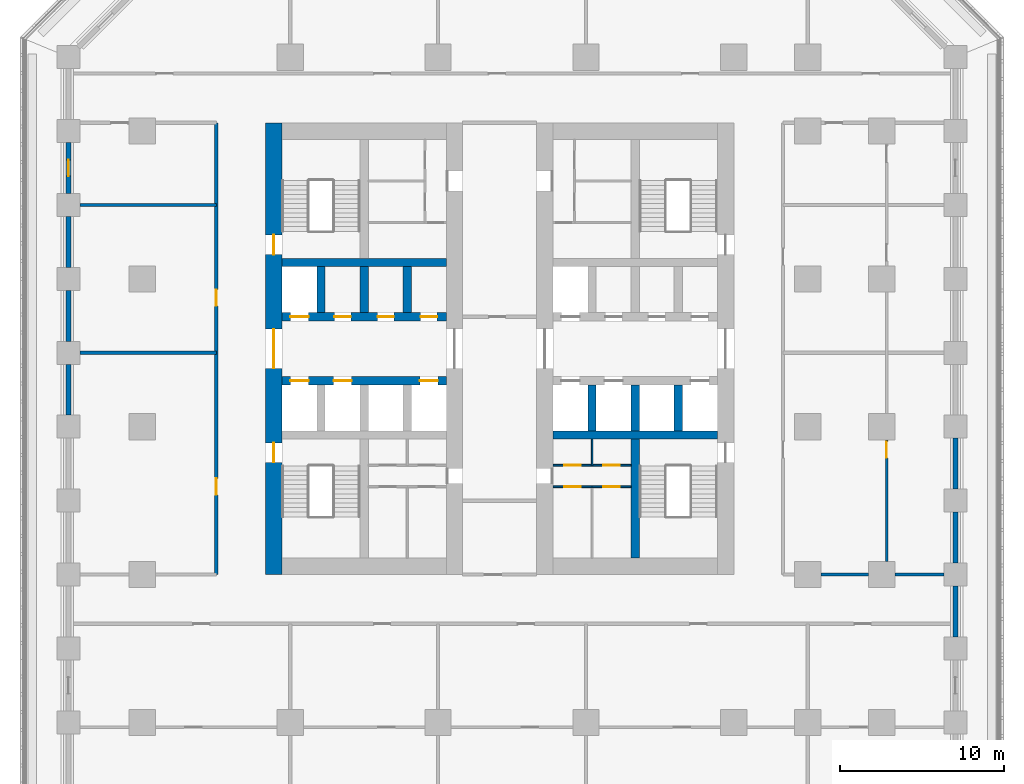
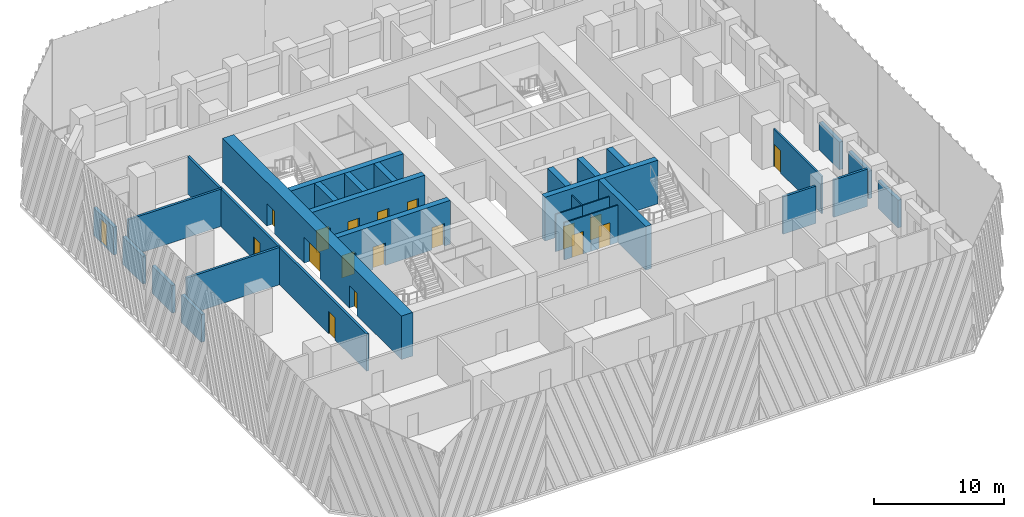
# One storey, part 4 of 13: 30 walls, 18 doors, 18 openings.
"""IFC4 building model written with IfcOpenShell, lengths in metres."""

from ifc_helpers import new_model, si_unit, direction, frame, frame_2d, origin, place, context, subcontext, project, spatial, rectangle, extrude, material, layer, layer_set, type_object, element, fill, save


model = new_model("IFC4")

# Units and contexts
model_context = context("Model", 3, precision=1e-05, world=origin(), true_north=direction((0.0, 1.0)))
body_context = subcontext(model_context, "Body", "Model", "MODEL_VIEW")
ifc_project = project(units=[si_unit("LENGTHUNIT", "METRE"), si_unit("AREAUNIT", "SQUARE_METRE"), si_unit("VOLUMEUNIT", "CUBIC_METRE"), si_unit("PLANEANGLEUNIT", "RADIAN"), si_unit("MASSUNIT", "GRAM", prefix="KILO")], contexts=[model_context])

# Site, building, storey
site_placement = place(None, origin())
site = spatial("IfcSite", under=ifc_project, at=site_placement, CompositionType="ELEMENT")
building_placement = place(site_placement, origin())
building = spatial("IfcBuilding", under=site, at=building_placement, Name="Corbel Stack Research Tower", CompositionType="ELEMENT")
storey_placement = place(building_placement, frame((0.0, 0.0, 66.5)))
storey = spatial("IfcBuildingStorey", under=building, at=storey_placement, Name="L15", CompositionType="ELEMENT", Elevation=66.5)

# Wall, openings, doors
ifc_material_1 = material(Name="Concrete C70/85", Category="concrete")
ifc_layer_1 = layer(ifc_material_1, 1.0)
ifc_layer_set_1 = layer_set([ifc_layer_1], Name="Concrete C70/85")
wall_type_1 = type_object("IfcWallType", Name="CW-1000-70", PredefinedType="SHEAR", material=ifc_layer_set_1)
wall_1_placement = place(storey_placement, frame((-10.0, -9.0, 0.0), z_axis=(0.0, 0.0, 1.0), x_axis=(0.0, 1.0, 0.0)))
wall_1 = element("IfcWall", 1, at=wall_1_placement, inside=storey, type_object=wall_type_1, Name="West core wall, west face L15", PredefinedType="SHEAR", context=body_context, shape_type="SweptSolid", body=[
    extrude(rectangle(XDim=27.5, YDim=1.0, at=frame_2d((13.75, 0.0))), origin(), (0.0, 0.0, 1.0), 4.10009765625),
])
opening_1_placement = place(wall_1_placement, frame((12.550048828125, 0.0, 0.0)))
opening_1 = element("IfcOpeningElement", 2, at=opening_1_placement, cuts=wall_1, Name="Opening CD-W-W", PredefinedType="OPENING", context=body_context, shape_type="SweptSolid", body=[
    extrude(rectangle(XDim=2.39990234375, YDim=2.39990234375, at=frame_2d((1.199951171875, 1.199951171875))), frame((0.0, 0.510009765625, 0.0), z_axis=(0.0, -1.0, 0.0), x_axis=(1.0, 0.0, 0.0)), (0.0, 0.0, 1.0), 1.02001953125),
])
opening_2_placement = place(wall_1_placement, frame((6.824951171875, 0.0, 0.0)))
opening_2 = element("IfcOpeningElement", 3, at=opening_2_placement, cuts=wall_1, Name="Opening SD-ST-W1", PredefinedType="OPENING", context=body_context, shape_type="SweptSolid", body=[
    extrude(rectangle(XDim=1.199951171875, YDim=2.10009765625, at=frame_2d((0.60009765625, 1.050048828125))), frame((0.0, 0.510009765625, 0.0), z_axis=(0.0, -1.0, 0.0), x_axis=(1.0, 0.0, 0.0)), (0.0, 0.0, 1.0), 1.02001953125),
])
opening_3_placement = place(wall_1_placement, frame((19.47509765625, 0.0, 0.0)))
opening_3 = element("IfcOpeningElement", 4, at=opening_3_placement, cuts=wall_1, Name="Opening SD-ST-W2", PredefinedType="OPENING", context=body_context, shape_type="SweptSolid", body=[
    extrude(rectangle(XDim=1.199951171875, YDim=2.10009765625, at=frame_2d((0.60009765625, 1.050048828125))), frame((0.0, 0.510009765625, 0.0), z_axis=(0.0, -1.0, 0.0), x_axis=(1.0, 0.0, 0.0)), (0.0, 0.0, 1.0), 1.02001953125),
])
ifc_material_2 = material(Name="Painted steel fire door", Category="steel")
door_type_1 = type_object("IfcDoorType", Name="Lobby door pair 2400 x 2400 FD30S", OperationType="DOUBLE_DOOR_DOUBLE_SWING", PredefinedType="DOOR", material=ifc_material_2)
door_1_placement = place(opening_1_placement, origin())
door_1 = element("IfcDoor", 5, at=door_1_placement, inside=storey, type_object=door_type_1, Name="Lift lobby door W core W", OperationType="DOUBLE_DOOR_DOUBLE_SWING", OverallHeight=2.39990234375, OverallWidth=2.39990234375, PredefinedType="DOOR", context=body_context, shape_type="SweptSolid", body=[
    extrude(rectangle(XDim=2.39990234375, YDim=2.39990234375, at=frame_2d((1.199951171875, 1.199951171875))), frame((0.0, 0.02490234375, 0.0), z_axis=(0.0, -1.0, 0.0), x_axis=(1.0, 0.0, 0.0)), (0.0, 0.0, 1.0), 0.050048828125),
])
fill(opening_1, door_1)
ifc_material_3 = material(Name="Painted steel fire door", Category="steel")
door_type_2 = type_object("IfcDoorType", Name="Stair door 1200 x 2100 FD90 left hand", OperationType="SINGLE_SWING_LEFT", PredefinedType="DOOR", material=ifc_material_3)
door_2_placement = place(opening_2_placement, origin())
door_2 = element("IfcDoor", 6, at=door_2_placement, inside=storey, type_object=door_type_2, Name="Stair door ST-W1", OperationType="SINGLE_SWING_LEFT", OverallHeight=2.10009765625, OverallWidth=1.199951171875, PredefinedType="DOOR", context=body_context, shape_type="SweptSolid", body=[
    extrude(rectangle(XDim=1.199951171875, YDim=2.10009765625, at=frame_2d((0.60009765625, 1.050048828125))), frame((0.0, 0.02490234375, 0.0), z_axis=(0.0, -1.0, 0.0), x_axis=(1.0, 0.0, 0.0)), (0.0, 0.0, 1.0), 0.050048828125),
])
fill(opening_2, door_2)
door_3_placement = place(opening_3_placement, origin())
door_3 = element("IfcDoor", 7, at=door_3_placement, inside=storey, type_object=door_type_2, Name="Stair door ST-W2", OperationType="SINGLE_SWING_LEFT", OverallHeight=2.10009765625, OverallWidth=1.199951171875, PredefinedType="DOOR", context=body_context, shape_type="SweptSolid", body=[
    extrude(rectangle(XDim=1.199951171875, YDim=2.10009765625, at=frame_2d((0.60009765625, 1.050048828125))), frame((0.0, 0.02490234375, 0.0), z_axis=(0.0, -1.0, 0.0), x_axis=(1.0, 0.0, 0.0)), (0.0, 0.0, 1.0), 0.050048828125),
])
fill(opening_3, door_3)

ifc_material_4 = material(Name="Concrete C70/85", Category="concrete")
ifc_layer_2 = layer(ifc_material_4, 0.5)
ifc_layer_set_2 = layer_set([ifc_layer_2], Name="Concrete C70/85")
wall_type_2 = type_object("IfcWallType", Name="CW-500-70", PredefinedType="SHEAR", material=ifc_layer_set_2)
wall_2_placement = place(storey_placement, frame((-9.5, 2.800048828125, 0.0), z_axis=(0.0, 0.0, 1.0), x_axis=(1.0, 0.0, 0.0)))
wall_2 = element("IfcWall", 8, at=wall_2_placement, inside=storey, type_object=wall_type_2, Name="West core wall, lobby south L15", PredefinedType="SHEAR", context=body_context, shape_type="SweptSolid", body=[
    extrude(rectangle(XDim=10.0, YDim=0.5, at=frame_2d((5.0, 0.0))), origin(), (0.0, 0.0, 1.0), 4.10009765625),
])
opening_4_placement = place(wall_2_placement, frame((0.512451171875, 0.0, 0.0)))
opening_4 = element("IfcOpeningElement", 9, at=opening_4_placement, cuts=wall_2, Name="Opening LD-FS1", PredefinedType="OPENING", context=body_context, shape_type="SweptSolid", body=[
    extrude(rectangle(XDim=1.10009765625, YDim=2.10009765625, at=frame_2d((0.550048828125, 1.050048828125))), frame((0.0, 0.260009765625, 0.0), z_axis=(0.0, -1.0, 0.0), x_axis=(1.0, 0.0, 0.0)), (0.0, 0.0, 1.0), 0.52001953125),
])
opening_5_placement = place(wall_2_placement, frame((3.137451171875, 0.0, 0.0)))
opening_5 = element("IfcOpeningElement", 10, at=opening_5_placement, cuts=wall_2, Name="Opening LD-GL1", PredefinedType="OPENING", context=body_context, shape_type="SweptSolid", body=[
    extrude(rectangle(XDim=1.10009765625, YDim=2.10009765625, at=frame_2d((0.550048828125, 1.050048828125))), frame((0.0, 0.260009765625, 0.0), z_axis=(0.0, -1.0, 0.0), x_axis=(1.0, 0.0, 0.0)), (0.0, 0.0, 1.0), 0.52001953125),
])
opening_6_placement = place(wall_2_placement, frame((8.387451171875, 0.0, 0.0)))
opening_6 = element("IfcOpeningElement", 11, at=opening_6_placement, cuts=wall_2, Name="Opening LD-LR1", PredefinedType="OPENING", context=body_context, shape_type="SweptSolid", body=[
    extrude(rectangle(XDim=1.10009765625, YDim=2.10009765625, at=frame_2d((0.550048828125, 1.050048828125))), frame((0.0, 0.260009765625, 0.0), z_axis=(0.0, -1.0, 0.0), x_axis=(1.0, 0.0, 0.0)), (0.0, 0.0, 1.0), 0.52001953125),
])
ifc_material_5 = material(Name="Stainless steel landing door", Category="steel")
door_type_3 = type_object("IfcDoorType", Name="Lift landing door 1100 x 2100", OperationType="DOUBLE_DOOR_SLIDING", PredefinedType="DOOR", material=ifc_material_5)
door_4_placement = place(opening_4_placement, origin())
door_4 = element("IfcDoor", 12, at=door_4_placement, inside=storey, type_object=door_type_3, Name="Landing door FS1", OperationType="DOUBLE_DOOR_SLIDING", OverallHeight=2.10009765625, OverallWidth=1.10009765625, PredefinedType="DOOR", context=body_context, shape_type="SweptSolid", body=[
    extrude(rectangle(XDim=1.10009765625, YDim=2.10009765625, at=frame_2d((0.550048828125, 1.050048828125))), frame((0.0, 0.02490234375, 0.0), z_axis=(0.0, -1.0, 0.0), x_axis=(1.0, 0.0, 0.0)), (0.0, 0.0, 1.0), 0.050048828125),
])
fill(opening_4, door_4)
door_5_placement = place(opening_5_placement, origin())
door_5 = element("IfcDoor", 13, at=door_5_placement, inside=storey, type_object=door_type_3, Name="Landing door GL1", OperationType="DOUBLE_DOOR_SLIDING", OverallHeight=2.10009765625, OverallWidth=1.10009765625, PredefinedType="DOOR", context=body_context, shape_type="SweptSolid", body=[
    extrude(rectangle(XDim=1.10009765625, YDim=2.10009765625, at=frame_2d((0.550048828125, 1.050048828125))), frame((0.0, 0.02490234375, 0.0), z_axis=(0.0, -1.0, 0.0), x_axis=(1.0, 0.0, 0.0)), (0.0, 0.0, 1.0), 0.050048828125),
])
fill(opening_5, door_5)
door_6_placement = place(opening_6_placement, origin())
door_6 = element("IfcDoor", 14, at=door_6_placement, inside=storey, type_object=door_type_3, Name="Landing door LR1", OperationType="DOUBLE_DOOR_SLIDING", OverallHeight=2.10009765625, OverallWidth=1.10009765625, PredefinedType="DOOR", context=body_context, shape_type="SweptSolid", body=[
    extrude(rectangle(XDim=1.10009765625, YDim=2.10009765625, at=frame_2d((0.550048828125, 1.050048828125))), frame((0.0, 0.02490234375, 0.0), z_axis=(0.0, -1.0, 0.0), x_axis=(1.0, 0.0, 0.0)), (0.0, 0.0, 1.0), 0.050048828125),
])
fill(opening_6, door_6)

wall_3_placement = place(storey_placement, frame((-9.5, 6.699951171875, 0.0), z_axis=(0.0, 0.0, 1.0), x_axis=(1.0, 0.0, 0.0)))
wall_3 = element("IfcWall", 15, at=wall_3_placement, inside=storey, type_object=wall_type_2, Name="West core wall, lobby north L15", PredefinedType="SHEAR", context=body_context, shape_type="SweptSolid", body=[
    extrude(rectangle(XDim=10.0, YDim=0.5, at=frame_2d((5.0, 0.0))), origin(), (0.0, 0.0, 1.0), 4.10009765625),
])
opening_7_placement = place(wall_3_placement, frame((0.512451171875, 0.0, 0.0)))
opening_7 = element("IfcOpeningElement", 16, at=opening_7_placement, cuts=wall_3, Name="Opening LD-LR2", PredefinedType="OPENING", context=body_context, shape_type="SweptSolid", body=[
    extrude(rectangle(XDim=1.10009765625, YDim=2.10009765625, at=frame_2d((0.550048828125, 1.050048828125))), frame((0.0, 0.260009765625, 0.0), z_axis=(0.0, -1.0, 0.0), x_axis=(1.0, 0.0, 0.0)), (0.0, 0.0, 1.0), 0.52001953125),
])
opening_8_placement = place(wall_3_placement, frame((3.1875, 0.0, 0.0)))
opening_8 = element("IfcOpeningElement", 17, at=opening_8_placement, cuts=wall_3, Name="Opening CR-W54-N2", PredefinedType="OPENING", context=body_context, shape_type="SweptSolid", body=[
    extrude(rectangle(XDim=1.0, YDim=2.10009765625, at=frame_2d((0.5, 1.050048828125))), frame((0.0, 0.260009765625, 0.0), z_axis=(0.0, -1.0, 0.0), x_axis=(1.0, 0.0, 0.0)), (0.0, 0.0, 1.0), 0.52001953125),
])
opening_9_placement = place(wall_3_placement, frame((5.8125, 0.0, 0.0)))
opening_9 = element("IfcOpeningElement", 18, at=opening_9_placement, cuts=wall_3, Name="Opening CR-W54-N3", PredefinedType="OPENING", context=body_context, shape_type="SweptSolid", body=[
    extrude(rectangle(XDim=1.0, YDim=2.10009765625, at=frame_2d((0.5, 1.050048828125))), frame((0.0, 0.260009765625, 0.0), z_axis=(0.0, -1.0, 0.0), x_axis=(1.0, 0.0, 0.0)), (0.0, 0.0, 1.0), 0.52001953125),
])
opening_10_placement = place(wall_3_placement, frame((8.4375, 0.0, 0.0)))
opening_10 = element("IfcOpeningElement", 19, at=opening_10_placement, cuts=wall_3, Name="Opening CR-W54-N4", PredefinedType="OPENING", context=body_context, shape_type="SweptSolid", body=[
    extrude(rectangle(XDim=1.0, YDim=2.10009765625, at=frame_2d((0.5, 1.050048828125))), frame((0.0, 0.260009765625, 0.0), z_axis=(0.0, -1.0, 0.0), x_axis=(1.0, 0.0, 0.0)), (0.0, 0.0, 1.0), 0.52001953125),
])
door_7_placement = place(opening_7_placement, origin())
door_7 = element("IfcDoor", 20, at=door_7_placement, inside=storey, type_object=door_type_3, Name="Landing door LR2", OperationType="DOUBLE_DOOR_SLIDING", OverallHeight=2.10009765625, OverallWidth=1.10009765625, PredefinedType="DOOR", context=body_context, shape_type="SweptSolid", body=[
    extrude(rectangle(XDim=1.10009765625, YDim=2.10009765625, at=frame_2d((0.550048828125, 1.050048828125))), frame((0.0, 0.02490234375, 0.0), z_axis=(0.0, -1.0, 0.0), x_axis=(1.0, 0.0, 0.0)), (0.0, 0.0, 1.0), 0.050048828125),
])
fill(opening_7, door_7)
ifc_material_6 = material(Name="Painted steel door", Category="steel")
door_type_4 = type_object("IfcDoorType", Name="Service door 1000 x 2100 FD60 left hand", OperationType="SINGLE_SWING_LEFT", PredefinedType="DOOR", material=ifc_material_6)
door_8_placement = place(opening_9_placement, origin())
door_8 = element("IfcDoor", 21, at=door_8_placement, inside=storey, type_object=door_type_4, Name="Vending bay door W core", OperationType="SINGLE_SWING_LEFT", OverallHeight=2.10009765625, OverallWidth=1.0, PredefinedType="DOOR", context=body_context, shape_type="SweptSolid", body=[
    extrude(rectangle(XDim=1.0, YDim=2.10009765625, at=frame_2d((0.5, 1.050048828125))), frame((0.0, 0.02490234375, 0.0), z_axis=(0.0, -1.0, 0.0), x_axis=(1.0, 0.0, 0.0)), (0.0, 0.0, 1.0), 0.050048828125),
])
fill(opening_9, door_8)
ifc_material_7 = material(Name="Painted steel door", Category="steel")
door_type_5 = type_object("IfcDoorType", Name="Service door 1000 x 2100 FD60 right hand", OperationType="SINGLE_SWING_RIGHT", PredefinedType="DOOR", material=ifc_material_7)
door_9_placement = place(opening_8_placement, origin())
door_9 = element("IfcDoor", 22, at=door_9_placement, inside=storey, type_object=door_type_5, Name="Cleaner's store door W core", OperationType="SINGLE_SWING_RIGHT", OverallHeight=2.10009765625, OverallWidth=1.0, PredefinedType="DOOR", context=body_context, shape_type="SweptSolid", body=[
    extrude(rectangle(XDim=1.0, YDim=2.10009765625, at=frame_2d((0.5, 1.050048828125))), frame((0.0, 0.02490234375, 0.0), z_axis=(0.0, -1.0, 0.0), x_axis=(1.0, 0.0, 0.0)), (0.0, 0.0, 1.0), 0.050048828125),
])
fill(opening_8, door_9)
door_10_placement = place(opening_10_placement, origin())
door_10 = element("IfcDoor", 23, at=door_10_placement, inside=storey, type_object=door_type_5, Name="Mechanical room door W core", OperationType="SINGLE_SWING_RIGHT", OverallHeight=2.10009765625, OverallWidth=1.0, PredefinedType="DOOR", context=body_context, shape_type="SweptSolid", body=[
    extrude(rectangle(XDim=1.0, YDim=2.10009765625, at=frame_2d((0.5, 1.050048828125))), frame((0.0, 0.02490234375, 0.0), z_axis=(0.0, -1.0, 0.0), x_axis=(1.0, 0.0, 0.0)), (0.0, 0.0, 1.0), 0.050048828125),
])
fill(opening_10, door_10)

# Walls
wall_4_placement = place(storey_placement, frame((-9.5, 10.0, 0.0), z_axis=(0.0, 0.0, 1.0), x_axis=(1.0, 0.0, 0.0)))
element("IfcWall", 24, at=wall_4_placement, inside=storey, type_object=wall_type_2, Name="West core wall, north row back L15", PredefinedType="SHEAR", context=body_context, shape_type="SweptSolid", body=[
    extrude(rectangle(XDim=10.0, YDim=0.5, at=frame_2d((5.0, 0.0))), origin(), (0.0, 0.0, 1.0), 4.10009765625),
])
for number, where, z_axis, x_axis, name in (
    (25, (-7.125, 6.949951171875, 0.0), (0.0, 0.0, 1.0), (0.0, 1.0, 0.0), "West core wall, north shaft 1 L15"),
    (26, (-4.5, 6.949951171875, 0.0), (0.0, 0.0, 1.0), (0.0, 1.0, 0.0), "West core wall, north shaft 2 L15"),
    (27, (-1.875, 6.949951171875, 0.0), (0.0, 0.0, 1.0), (0.0, 1.0, 0.0), "West core wall, north shaft 3 L15"),
):
    element("IfcWall", number, at=place(storey_placement, frame(where, z_axis=z_axis, x_axis=x_axis)), inside=storey, type_object=wall_type_2, Name=name, PredefinedType="SHEAR", context=body_context, shape_type="SweptSolid", body=[
        extrude(rectangle(XDim=2.800048828125, YDim=0.5, at=frame_2d((1.39990234375, 0.0))), origin(), (0.0, 0.0, 1.0), 4.10009765625),
    ])
wall_5_placement = place(storey_placement, frame((7.0, -0.5, 0.0), z_axis=(0.0, 0.0, 1.0), x_axis=(1.0, 0.0, 0.0)))
element("IfcWall", 28, at=wall_5_placement, inside=storey, type_object=wall_type_2, Name="East core wall, south row back L15", PredefinedType="SHEAR", context=body_context, shape_type="SweptSolid", body=[
    extrude(rectangle(XDim=10.0, YDim=0.5, at=frame_2d((5.0, 0.0))), origin(), (0.0, 0.0, 1.0), 4.10009765625),
])
for number, where, z_axis, x_axis, name in (
    (29, (9.375, -0.25, 0.0), (0.0, 0.0, 1.0), (0.0, 1.0, 0.0), "East core wall, south shaft 1 L15"),
    (30, (12.0, -0.25, 0.0), (0.0, 0.0, 1.0), (0.0, 1.0, 0.0), "East core wall, south shaft 2 L15"),
    (31, (14.625, -0.25, 0.0), (0.0, 0.0, 1.0), (0.0, 1.0, 0.0), "East core wall, south shaft 3 L15"),
):
    element("IfcWall", number, at=place(storey_placement, frame(where, z_axis=z_axis, x_axis=x_axis)), inside=storey, type_object=wall_type_2, Name=name, PredefinedType="SHEAR", context=body_context, shape_type="SweptSolid", body=[
        extrude(rectangle(XDim=2.800048828125, YDim=0.5, at=frame_2d((1.39990234375, 0.0))), origin(), (0.0, 0.0, 1.0), 4.10009765625),
    ])
wall_6_placement = place(storey_placement, frame((12.0, -8.0, 0.0), z_axis=(0.0, 0.0, 1.0), x_axis=(0.0, 1.0, 0.0)))
element("IfcWall", 32, at=wall_6_placement, inside=storey, type_object=wall_type_2, Name="East core wall, south stair and WC L15", PredefinedType="SHEAR", context=body_context, shape_type="SweptSolid", body=[
    extrude(rectangle(XDim=7.25, YDim=0.5, at=frame_2d((3.625, 0.0))), origin(), (0.0, 0.0, 1.0), 4.10009765625),
])

# Wall, opening, door
ifc_material_8 = material(Name="Gypsum board")
ifc_layer_3 = layer(ifc_material_8, 0.10009765625)
ifc_layer_set_3 = layer_set([ifc_layer_3], Name="Gypsum board")
wall_type_3 = type_object("IfcWallType", Name="Core partition 100", PredefinedType="PARTITIONING", material=ifc_layer_set_3)
wall_7_placement = place(storey_placement, frame((7.0, -3.64990234375, 0.0), z_axis=(0.0, 0.0, 1.0), x_axis=(1.0, 0.0, 0.0)))
wall_7 = element("IfcWall", 33, at=wall_7_placement, inside=storey, type_object=wall_type_3, Name="Core partition E", PredefinedType="PARTITIONING", context=body_context, shape_type="SweptSolid", body=[
    extrude(rectangle(XDim=2.375, YDim=0.10009765625, at=frame_2d((1.1875, 0.0))), origin(), (0.0, 0.0, 1.0), 3.5),
])
opening_11_placement = place(wall_7_placement, frame((0.6875, 0.0, 0.0)))
opening_11 = element("IfcOpeningElement", 34, at=opening_11_placement, cuts=wall_7, Name="Opening CR-E54-W2-1000", PredefinedType="OPENING", context=body_context, shape_type="SweptSolid", body=[
    extrude(rectangle(XDim=1.0, YDim=2.10009765625, at=frame_2d((0.5, 1.050048828125))), frame((0.0, 0.06005859375, 0.0), z_axis=(0.0, -1.0, 0.0), x_axis=(1.0, 0.0, 0.0)), (0.0, 0.0, 1.0), 0.1201171875),
])
ifc_material_9 = material(Name="Painted timber door", Category="wood")
door_type_6 = type_object("IfcDoorType", Name="WC door 1000 x 2100 left hand", OperationType="SINGLE_SWING_LEFT", PredefinedType="DOOR", material=ifc_material_9)
door_11_placement = place(opening_11_placement, origin())
door_11 = element("IfcDoor", 35, at=door_11_placement, inside=storey, type_object=door_type_6, Name="Women's WC door E core", OperationType="SINGLE_SWING_LEFT", OverallHeight=2.10009765625, OverallWidth=1.0, PredefinedType="DOOR", context=body_context, shape_type="SweptSolid", body=[
    extrude(rectangle(XDim=1.0, YDim=2.10009765625, at=frame_2d((0.5, 1.050048828125))), frame((0.0, 0.02490234375, 0.0), z_axis=(0.0, -1.0, 0.0), x_axis=(1.0, 0.0, 0.0)), (0.0, 0.0, 1.0), 0.050048828125),
])
fill(opening_11, door_11)

wall_8_placement = place(storey_placement, frame((9.375, -3.64990234375, 0.0), z_axis=(0.0, 0.0, 1.0), x_axis=(1.0, 0.0, 0.0)))
wall_8 = element("IfcWall", 36, at=wall_8_placement, inside=storey, type_object=wall_type_3, Name="Core partition E", PredefinedType="PARTITIONING", context=body_context, shape_type="SweptSolid", body=[
    extrude(rectangle(XDim=2.375, YDim=0.10009765625, at=frame_2d((1.1875, 0.0))), origin(), (0.0, 0.0, 1.0), 3.5),
])
opening_12_placement = place(wall_8_placement, frame((0.6875, 0.0, 0.0)))
opening_12 = element("IfcOpeningElement", 37, at=opening_12_placement, cuts=wall_8, Name="Opening CR-E54-W3-1000", PredefinedType="OPENING", context=body_context, shape_type="SweptSolid", body=[
    extrude(rectangle(XDim=1.0, YDim=2.10009765625, at=frame_2d((0.5, 1.050048828125))), frame((0.0, 0.06005859375, 0.0), z_axis=(0.0, -1.0, 0.0), x_axis=(1.0, 0.0, 0.0)), (0.0, 0.0, 1.0), 0.1201171875),
])
ifc_material_10 = material(Name="Painted timber door", Category="wood")
door_type_7 = type_object("IfcDoorType", Name="WC door 1000 x 2100 right hand", OperationType="SINGLE_SWING_RIGHT", PredefinedType="DOOR", material=ifc_material_10)
door_12_placement = place(opening_12_placement, origin())
door_12 = element("IfcDoor", 38, at=door_12_placement, inside=storey, type_object=door_type_7, Name="Men's WC door E core", OperationType="SINGLE_SWING_RIGHT", OverallHeight=2.10009765625, OverallWidth=1.0, PredefinedType="DOOR", context=body_context, shape_type="SweptSolid", body=[
    extrude(rectangle(XDim=1.0, YDim=2.10009765625, at=frame_2d((0.5, 1.050048828125))), frame((0.0, 0.02490234375, 0.0), z_axis=(0.0, -1.0, 0.0), x_axis=(1.0, 0.0, 0.0)), (0.0, 0.0, 1.0), 0.050048828125),
])
fill(opening_12, door_12)

wall_9_placement = place(storey_placement, frame((7.0, -2.344970703125, 0.0), z_axis=(0.0, 0.0, 1.0), x_axis=(1.0, 0.0, 0.0)))
wall_9 = element("IfcWall", 39, at=wall_9_placement, inside=storey, type_object=wall_type_3, Name="Core partition E", PredefinedType="PARTITIONING", context=body_context, shape_type="SweptSolid", body=[
    extrude(rectangle(XDim=2.375, YDim=0.10009765625, at=frame_2d((1.1875, 0.0))), origin(), (0.0, 0.0, 1.0), 3.5),
])
opening_13_placement = place(wall_9_placement, frame((0.6875, 0.0, 0.0)))
opening_13 = element("IfcOpeningElement", 40, at=opening_13_placement, cuts=wall_9, Name="Opening CR-E54-W4-1000", PredefinedType="OPENING", context=body_context, shape_type="SweptSolid", body=[
    extrude(rectangle(XDim=1.0, YDim=2.10009765625, at=frame_2d((0.5, 1.050048828125))), frame((0.0, 0.06005859375, 0.0), z_axis=(0.0, -1.0, 0.0), x_axis=(1.0, 0.0, 0.0)), (0.0, 0.0, 1.0), 0.1201171875),
])
door_13_placement = place(opening_13_placement, origin())
door_13 = element("IfcDoor", 41, at=door_13_placement, inside=storey, type_object=door_type_6, Name="Accessible WC door E core", OperationType="SINGLE_SWING_LEFT", OverallHeight=2.10009765625, OverallWidth=1.0, PredefinedType="DOOR", context=body_context, shape_type="SweptSolid", body=[
    extrude(rectangle(XDim=1.0, YDim=2.10009765625, at=frame_2d((0.5, 1.050048828125))), frame((0.0, 0.02490234375, 0.0), z_axis=(0.0, -1.0, 0.0), x_axis=(1.0, 0.0, 0.0)), (0.0, 0.0, 1.0), 0.050048828125),
])
fill(opening_13, door_13)

wall_10_placement = place(storey_placement, frame((9.375, -2.344970703125, 0.0), z_axis=(0.0, 0.0, 1.0), x_axis=(1.0, 0.0, 0.0)))
wall_10 = element("IfcWall", 42, at=wall_10_placement, inside=storey, type_object=wall_type_3, Name="Core partition E", PredefinedType="PARTITIONING", context=body_context, shape_type="SweptSolid", body=[
    extrude(rectangle(XDim=2.375, YDim=0.10009765625, at=frame_2d((1.1875, 0.0))), origin(), (0.0, 0.0, 1.0), 3.5),
])
opening_14_placement = place(wall_10_placement, frame((0.6875, 0.0, 0.0)))
opening_14 = element("IfcOpeningElement", 43, at=opening_14_placement, cuts=wall_10, Name="Opening CR-E54-W5-1000", PredefinedType="OPENING", context=body_context, shape_type="SweptSolid", body=[
    extrude(rectangle(XDim=1.0, YDim=2.10009765625, at=frame_2d((0.5, 1.050048828125))), frame((0.0, 0.06005859375, 0.0), z_axis=(0.0, -1.0, 0.0), x_axis=(1.0, 0.0, 0.0)), (0.0, 0.0, 1.0), 0.1201171875),
])
door_14_placement = place(opening_14_placement, origin())
door_14 = element("IfcDoor", 44, at=door_14_placement, inside=storey, type_object=door_type_7, Name="Shower and changing room door E core", OperationType="SINGLE_SWING_RIGHT", OverallHeight=2.10009765625, OverallWidth=1.0, PredefinedType="DOOR", context=body_context, shape_type="SweptSolid", body=[
    extrude(rectangle(XDim=1.0, YDim=2.10009765625, at=frame_2d((0.5, 1.050048828125))), frame((0.0, 0.02490234375, 0.0), z_axis=(0.0, -1.0, 0.0), x_axis=(1.0, 0.0, 0.0)), (0.0, 0.0, 1.0), 0.050048828125),
])
fill(opening_14, door_14)

# Wall
wall_11_placement = place(storey_placement, frame((9.375, -2.344970703125, 0.0), z_axis=(0.0, 0.0, 1.0), x_axis=(0.0, 1.0, 0.0)))
element("IfcWall", 45, at=wall_11_placement, inside=storey, type_object=wall_type_3, Name="Core partition E", PredefinedType="PARTITIONING", context=body_context, shape_type="SweptSolid", body=[
    extrude(rectangle(XDim=1.594970703125, YDim=0.10009765625, at=frame_2d((0.79736328125, 0.0))), origin(), (0.0, 0.0, 1.0), 3.5),
])

# Wall, openings, doors
ifc_material_11 = material(Name="Fire-rated gypsum board partition on steel studs", Category="steel")
ifc_layer_4 = layer(ifc_material_11, 0.199951171875)
ifc_layer_set_4 = layer_set([ifc_layer_4], Name="Fire-rated gypsum board partition on steel studs")
wall_type_4 = type_object("IfcWallType", Name="Fire-rated partition 200 EI 60", PredefinedType="PARTITIONING", material=ifc_layer_set_4)
wall_12_placement = place(storey_placement, frame((-13.5, -9.0, 0.0), z_axis=(0.0, 0.0, 1.0), x_axis=(0.0, 1.0, 0.0)))
wall_12 = element("IfcWall", 46, at=wall_12_placement, inside=storey, type_object=wall_type_4, Name="Partition L15-001", PredefinedType="PARTITIONING", context=body_context, shape_type="SweptSolid", body=[
    extrude(rectangle(XDim=27.5, YDim=0.199951171875, at=frame_2d((13.75, 0.0))), origin(), (0.0, 0.0, 1.0), 3.5),
])
opening_15_placement = place(wall_12_placement, frame((4.85009765625, 0.0, 0.0)))
opening_15 = element("IfcOpeningElement", 47, at=opening_15_placement, cuts=wall_12, Name="Opening B2V2-006", PredefinedType="OPENING", context=body_context, shape_type="SweptSolid", body=[
    extrude(rectangle(XDim=1.0, YDim=2.10009765625, at=frame_2d((0.5, 1.050048828125))), frame((0.0, 0.10986328125, 0.0), z_axis=(0.0, -1.0, 0.0), x_axis=(1.0, 0.0, 0.0)), (0.0, 0.0, 1.0), 0.219970703125),
])
opening_16_placement = place(wall_12_placement, frame((16.35009765625, 0.0, 0.0)))
opening_16 = element("IfcOpeningElement", 48, at=opening_16_placement, cuts=wall_12, Name="Opening B2V2-007", PredefinedType="OPENING", context=body_context, shape_type="SweptSolid", body=[
    extrude(rectangle(XDim=1.0, YDim=2.10009765625, at=frame_2d((0.5, 1.050048828125))), frame((0.0, 0.10986328125, 0.0), z_axis=(0.0, -1.0, 0.0), x_axis=(1.0, 0.0, 0.0)), (0.0, 0.0, 1.0), 0.219970703125),
])
ifc_material_12 = material(Name="Painted steel fire door", Category="steel")
door_type_8 = type_object("IfcDoorType", Name="Fire door FD30S 1000 x 2100", OperationType="NOTDEFINED", PredefinedType="DOOR", material=ifc_material_12)
door_15_placement = place(opening_15_placement, origin())
door_15 = element("IfcDoor", 49, at=door_15_placement, inside=storey, type_object=door_type_8, Name="Door B2V2-006", OperationType="SINGLE_SWING_LEFT", OverallHeight=2.10009765625, OverallWidth=1.0, PredefinedType="DOOR", context=body_context, shape_type="SweptSolid", body=[
    extrude(rectangle(XDim=1.0, YDim=2.10009765625, at=frame_2d((0.5, 1.050048828125))), frame((0.0, 0.02490234375, 0.0), z_axis=(0.0, -1.0, 0.0), x_axis=(1.0, 0.0, 0.0)), (0.0, 0.0, 1.0), 0.050048828125),
])
fill(opening_15, door_15)
door_16_placement = place(opening_16_placement, origin())
door_16 = element("IfcDoor", 50, at=door_16_placement, inside=storey, type_object=door_type_8, Name="Door B2V2-007", OperationType="SINGLE_SWING_RIGHT", OverallHeight=2.10009765625, OverallWidth=1.0, PredefinedType="DOOR", context=body_context, shape_type="SweptSolid", body=[
    extrude(rectangle(XDim=1.0, YDim=2.10009765625, at=frame_2d((0.5, 1.050048828125))), frame((0.0, 0.02490234375, 0.0), z_axis=(0.0, -1.0, 0.0), x_axis=(1.0, 0.0, 0.0)), (0.0, 0.0, 1.0), 0.050048828125),
])
fill(opening_16, door_16)

# Walls
wall_13_placement = place(storey_placement, frame((23.300048828125, -9.0, 0.0), z_axis=(0.0, 0.0, 1.0), x_axis=(1.0, 0.0, 0.0)))
element("IfcWall", 51, at=wall_13_placement, inside=storey, type_object=wall_type_4, Name="Partition L15-031", PredefinedType="PARTITIONING", context=body_context, shape_type="SweptSolid", body=[
    extrude(rectangle(XDim=2.89990234375, YDim=0.199951171875, at=frame_2d((1.449951171875, 0.0))), origin(), (0.0, 0.0, 1.0), 3.5),
])
wall_14_placement = place(storey_placement, frame((27.800048828125, -9.0, 0.0), z_axis=(0.0, 0.0, 1.0), x_axis=(1.0, 0.0, 0.0)))
element("IfcWall", 52, at=wall_14_placement, inside=storey, type_object=wall_type_4, Name="Partition L15-032", PredefinedType="PARTITIONING", context=body_context, shape_type="SweptSolid", body=[
    extrude(rectangle(XDim=3.0, YDim=0.199951171875, at=frame_2d((1.5, 0.0))), origin(), (0.0, 0.0, 1.0), 3.5),
])
for number, where, z_axis, x_axis, name in (
    (53, (-21.800048828125, 4.5, 0.0), (0.0, 0.0, 1.0), (1.0, 0.0, 0.0), "Partition L15-034"),
    (54, (-21.800048828125, 13.5, 0.0), (0.0, 0.0, 1.0), (1.0, 0.0, 0.0), "Partition L15-037"),
):
    element("IfcWall", number, at=place(storey_placement, frame(where, z_axis=z_axis, x_axis=x_axis)), inside=storey, type_object=wall_type_4, Name=name, PredefinedType="PARTITIONING", context=body_context, shape_type="SweptSolid", body=[
        extrude(rectangle(XDim=8.300048828125, YDim=0.199951171875, at=frame_2d((4.14990234375, 0.0))), origin(), (0.0, 0.0, 1.0), 3.5),
    ])

# Wall, opening, door
ifc_material_13 = material(Name="Gypsum board partition on steel studs", Category="steel")
ifc_layer_5 = layer(ifc_material_13, 0.14990234375)
ifc_layer_set_5 = layer_set([ifc_layer_5], Name="Gypsum board partition on steel studs")
wall_type_5 = type_object("IfcWallType", Name="Partition 150", PredefinedType="PARTITIONING", material=ifc_layer_set_5)
wall_15_placement = place(storey_placement, frame((27.300048828125, -0.800048828125, 0.0), z_axis=(0.0, 0.0, 1.0), x_axis=(0.0, -1.0, 0.0)))
wall_15 = element("IfcWall", 55, at=wall_15_placement, inside=storey, type_object=wall_type_5, Name="Partition L15-015", PredefinedType="PARTITIONING", context=body_context, shape_type="SweptSolid", body=[
    extrude(rectangle(XDim=7.39990234375, YDim=0.14990234375, at=frame_2d((3.699951171875, 0.0))), origin(), (0.0, 0.0, 1.0), 3.5),
])
opening_17_placement = place(wall_15_placement, frame((0.10009765625, 0.0, 0.0)))
opening_17 = element("IfcOpeningElement", 56, at=opening_17_placement, cuts=wall_15, Name="Opening B2V2-024", PredefinedType="OPENING", context=body_context, shape_type="SweptSolid", body=[
    extrude(rectangle(XDim=1.0, YDim=2.10009765625, at=frame_2d((0.5, 1.050048828125))), frame((0.0, 0.0849609375, 0.0), z_axis=(0.0, -1.0, 0.0), x_axis=(1.0, 0.0, 0.0)), (0.0, 0.0, 1.0), 0.169921875),
])
ifc_material_14 = material(Name="Painted timber door", Category="wood")
door_type_9 = type_object("IfcDoorType", Name="Single door 1000 x 2100", OperationType="NOTDEFINED", PredefinedType="DOOR", material=ifc_material_14)
door_17_placement = place(opening_17_placement, origin())
door_17 = element("IfcDoor", 57, at=door_17_placement, inside=storey, type_object=door_type_9, Name="Door B2V2-024", OperationType="SINGLE_SWING_LEFT", OverallHeight=2.10009765625, OverallWidth=1.0, PredefinedType="DOOR", context=body_context, shape_type="SweptSolid", body=[
    extrude(rectangle(XDim=1.0, YDim=2.10009765625, at=frame_2d((0.5, 1.050048828125))), frame((0.0, 0.02490234375, 0.0), z_axis=(0.0, -1.0, 0.0), x_axis=(1.0, 0.0, 0.0)), (0.0, 0.0, 1.0), 0.050048828125),
])
fill(opening_17, door_17)

# Walls
ifc_material_15 = material(Name="Concrete C45/55", Category="concrete")
ifc_layer_6 = layer(ifc_material_15, 0.300048828125)
ifc_layer_set_6 = layer_set([ifc_layer_6], Name="Concrete C45/55")
wall_type_6 = type_object("IfcWallType", Name="Terracotta-faced concrete wall 300", PredefinedType="SOLIDWALL", material=ifc_layer_set_6)
for number, where, z_axis, x_axis, name in (
    (58, (31.5, -9.699951171875, 0.0), (0.0, 0.0, 1.0), (0.0, -1.0, 0.0), "Facade wall L15 E03"),
    (59, (31.5, -5.199951171875, 0.0), (0.0, 0.0, 1.0), (0.0, -1.0, 0.0), "Facade wall L15 E04"),
    (60, (31.5, -0.699951171875, 0.0), (0.0, 0.0, 1.0), (0.0, -1.0, 0.0), "Facade wall L15 E05"),
):
    element("IfcWall", number, at=place(storey_placement, frame(where, z_axis=z_axis, x_axis=x_axis)), inside=storey, type_object=wall_type_6, Name=name, PredefinedType="SOLIDWALL", context=body_context, shape_type="SweptSolid", body=[
        extrude(rectangle(XDim=3.10009765625, YDim=0.300048828125, at=frame_2d((1.550048828125, 0.0))), origin(), (0.0, 0.0, 1.0), 2.60009765625),
    ])

# Wall, opening, door
wall_16_placement = place(storey_placement, frame((-22.5, 14.199951171875, 0.0), z_axis=(0.0, 0.0, 1.0), x_axis=(0.0, 1.0, 0.0)))
wall_16 = element("IfcWall", 61, at=wall_16_placement, inside=storey, type_object=wall_type_6, Name="Facade wall L15 W02", PredefinedType="SOLIDWALL", context=body_context, shape_type="SweptSolid", body=[
    extrude(rectangle(XDim=3.10009765625, YDim=0.300048828125, at=frame_2d((1.550048828125, 0.0))), origin(), (0.0, 0.0, 1.0), 2.60009765625),
])
opening_18_placement = place(wall_16_placement, frame((1.050048828125, 0.0, 0.0)))
opening_18 = element("IfcOpeningElement", 62, at=opening_18_placement, cuts=wall_16, Name="Opening L15-B10", PredefinedType="OPENING", context=body_context, shape_type="SweptSolid", body=[
    extrude(rectangle(XDim=1.0, YDim=2.199951171875, at=frame_2d((0.5, 1.10009765625))), frame((0.0, 0.159912109375, 0.0), z_axis=(0.0, -1.0, 0.0), x_axis=(1.0, 0.0, 0.0)), (0.0, 0.0, 1.0), 0.320068359375),
])
ifc_material_16 = material(Name="Aluminium frame, clear double glazing", Category="aluminium")
door_type_10 = type_object("IfcDoorType", Name="Balcony door BD1 1000 x 2200", OperationType="NOTDEFINED", PredefinedType="DOOR", material=ifc_material_16)
door_18_placement = place(opening_18_placement, origin())
door_18 = element("IfcDoor", 63, at=door_18_placement, inside=storey, type_object=door_type_10, Name="Balcony door L15-B10", OperationType="SINGLE_SWING_LEFT", OverallHeight=2.199951171875, OverallWidth=1.0, PredefinedType="DOOR", context=body_context, shape_type="SweptSolid", body=[
    extrude(rectangle(XDim=1.0, YDim=2.199951171875, at=frame_2d((0.5, 1.10009765625))), frame((0.0, 0.02490234375, 0.0), z_axis=(0.0, -1.0, 0.0), x_axis=(1.0, 0.0, 0.0)), (0.0, 0.0, 1.0), 0.050048828125),
])
fill(opening_18, door_18)

# Walls
for number, where, z_axis, x_axis, name in (
    (64, (-22.5, 9.699951171875, 0.0), (0.0, 0.0, 1.0), (0.0, 1.0, 0.0), "Facade wall L15 W03"),
    (65, (-22.5, 5.199951171875, 0.0), (0.0, 0.0, 1.0), (0.0, 1.0, 0.0), "Facade wall L15 W04"),
    (66, (-22.5, 0.699951171875, 0.0), (0.0, 0.0, 1.0), (0.0, 1.0, 0.0), "Facade wall L15 W05"),
):
    element("IfcWall", number, at=place(storey_placement, frame(where, z_axis=z_axis, x_axis=x_axis)), inside=storey, type_object=wall_type_6, Name=name, PredefinedType="SOLIDWALL", context=body_context, shape_type="SweptSolid", body=[
        extrude(rectangle(XDim=3.10009765625, YDim=0.300048828125, at=frame_2d((1.550048828125, 0.0))), origin(), (0.0, 0.0, 1.0), 2.60009765625),
    ])

save(model, "model.ifc")
